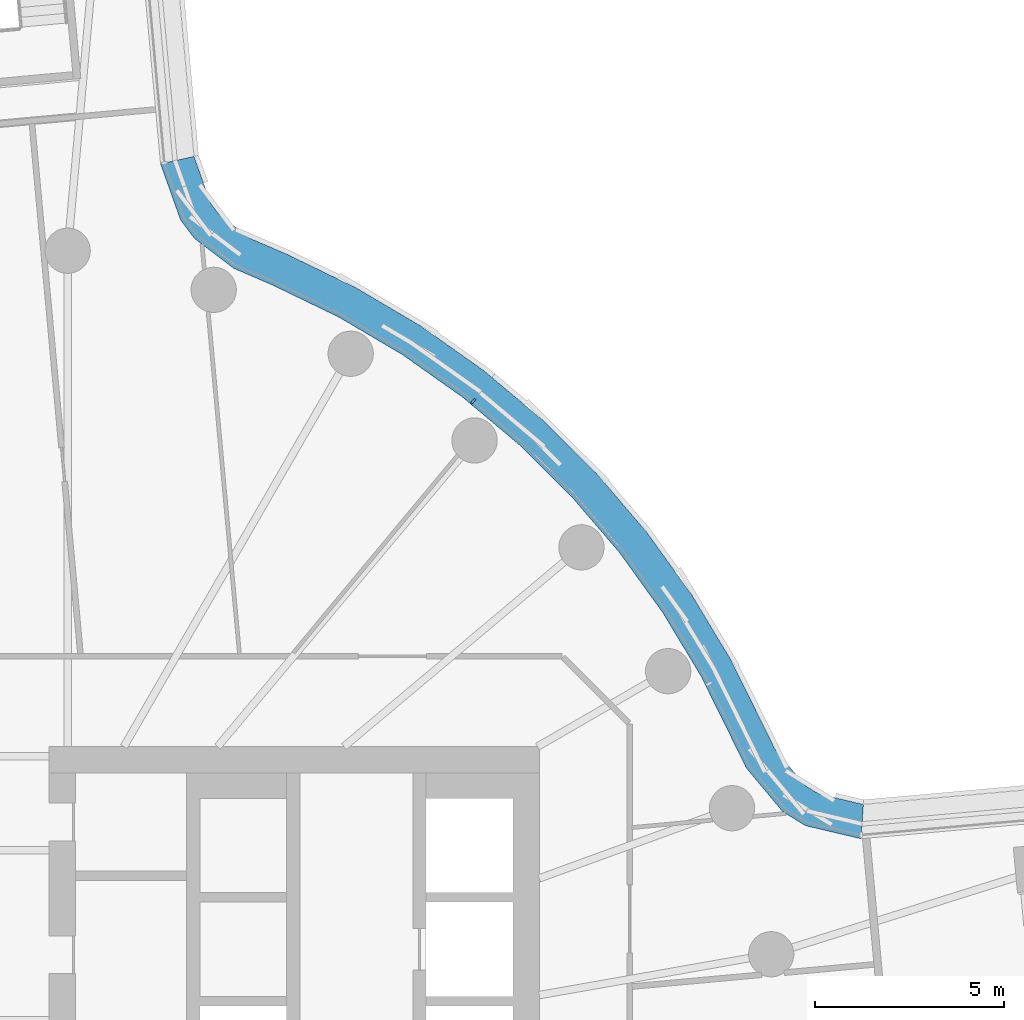
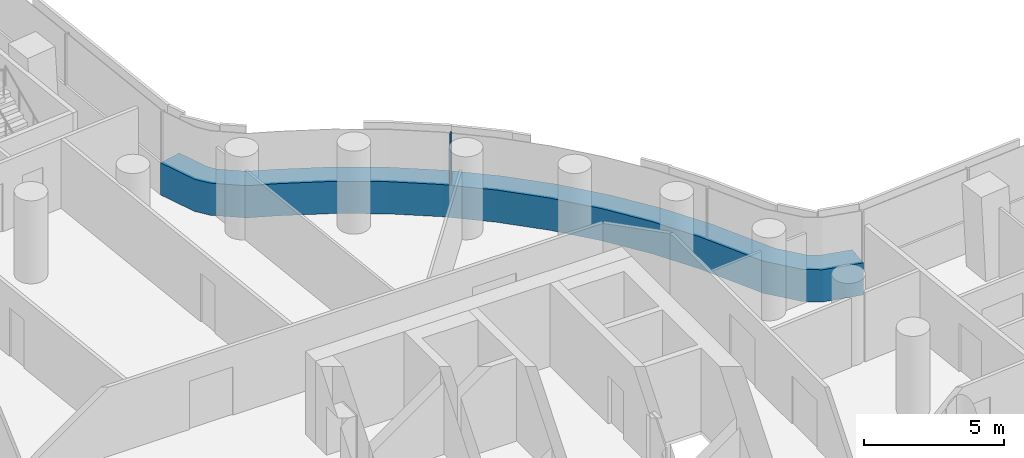
# One storey, part 16 of 31: 2 members, 1 element without a shape of its own.
"""IFC4 building model written with IfcOpenShell, lengths in metres."""

from ifc_helpers import new_model, si_unit, direction, frame, origin, origin_2d, place, context, subcontext, project, spatial, polyline, rectangle, outline, extrude, material, layer, layer_set, material_profile, profile_set, type_object, element, aggregate, save


model = new_model("IFC4")

# Units and contexts
model_context = context("Model", 3, precision=1e-05, world=origin(), true_north=direction((0.0, 1.0)))
body_context = subcontext(model_context, "Body", "Model", "MODEL_VIEW")
ifc_project = project(units=[si_unit("LENGTHUNIT", "METRE"), si_unit("AREAUNIT", "SQUARE_METRE"), si_unit("VOLUMEUNIT", "CUBIC_METRE"), si_unit("PLANEANGLEUNIT", "RADIAN"), si_unit("MASSUNIT", "GRAM", prefix="KILO")], contexts=[model_context])

# Site, building, storey
site_placement = place(None, origin())
site = spatial("IfcSite", under=ifc_project, at=site_placement, CompositionType="ELEMENT")
building_placement = place(site_placement, origin())
building = spatial("IfcBuilding", under=site, at=building_placement, Name="Tamarind Cross Interchange Tower", CompositionType="ELEMENT")
storey_placement = place(building_placement, frame((0.0, 0.0, 52.75)))
storey = spatial("IfcBuildingStorey", under=building, at=storey_placement, Name="L11", CompositionType="ELEMENT", Elevation=52.75)

# Curtain wall, members
ifc_material_1 = material(Name="Aluminium 6063-T6", Category="aluminium")
ifc_layer = layer(ifc_material_1, 0.159912109375)
ifc_layer_set = layer_set([ifc_layer], Name="Aluminium 6063-T6")
curtain_wall_type = type_object("IfcCurtainWallType", Name="Office curtain wall, 9.0 m bays", PredefinedType="NOTDEFINED", material=ifc_layer_set)
curtain_wall_placement = place(storey_placement, origin())
curtain_wall = element("IfcCurtainWall", 1, at=curtain_wall_placement, inside=storey, type_object=curtain_wall_type, Name="CWS-L11-14", PredefinedType="NOTDEFINED")
ifc_material_2 = material(Name="Aluminium and insulated spandrel panel", Category="aluminium")
member_type_1 = type_object("IfcMemberType", Name="Floor-edge blade transom", PredefinedType="USERDEFINED", material=ifc_material_2)
member_1_placement = place(storey_placement, origin())
member_1 = element("IfcMember", 2, at=member_1_placement, type_object=member_type_1, Name="CWT-L11-14", ObjectType="TRANSOM", PredefinedType="USERDEFINED", context=body_context, shape_type="SweptSolid", body=[
    extrude(outline(polyline([(25.03173828125, 7.056640625), (23.560302734375, 7.4033203125), (22.952392578125, 7.779052734375), (21.99267578125, 8.93115234375), (21.6640625, 9.60107421875), (20.791015625, 11.367431640625), (19.78125, 13.045654296875), (18.636474609375, 14.634521484375), (17.3642578125, 16.12353515625), (15.973388671875, 17.50244140625), (14.4736328125, 18.76171875), (12.874755859375, 19.892822265625), (11.188232421875, 20.88818359375), (9.419677734375, 21.7431640625), (8.39990234375, 22.182861328125), (7.36328125, 22.96923828125), (6.988525390625, 23.467529296875), (6.457763671875, 24.954833984375), (7.34375, 25.150146484375), (7.7900390625, 23.899169921875), (8.007080078125, 23.610595703125), (8.856689453125, 22.966064453125), (9.7939453125, 22.56201171875), (11.613525390625, 21.68212890625), (13.3642578125, 20.64892578125), (15.023681640625, 19.474853515625), (16.580810546875, 18.167724609375), (18.0244140625, 16.736572265625), (19.344970703125, 15.19091796875), (20.533203125, 13.54150390625), (21.581298828125, 11.799560546875), (22.471435546875, 9.99853515625), (22.753173828125, 9.42431640625), (23.55029296875, 8.467529296875), (23.908935546875, 8.245849609375), (25.0966796875, 7.966064453125), (25.03173828125, 7.056640625)])), origin(), (0.0, 0.0, 1.0), 1.39990234375),
])
ifc_material_profile = material_profile(ifc_material_1, rectangle(XDim=0.06005859375, YDim=0.159912109375, at=origin_2d()), Name="Mullion CW1")
ifc_profile_set = profile_set([ifc_material_profile], Name="Aluminium 6063-T6")
member_type_2 = type_object("IfcMemberType", Name="Mullion CW1", PredefinedType="MULLION", material=ifc_profile_set)
member_2_placement = place(storey_placement, frame((14.75, 18.66015625, 1.39990234375), z_axis=(0.0, 0.0, 1.0), x_axis=(-0.765858396687, 0.643009266048, 0.0)))
member_2 = element("IfcMember", 3, at=member_2_placement, type_object=member_type_2, Name="CWM-L11-14-02", PredefinedType="MULLION", context=body_context, shape_type="SweptSolid", body=[
    extrude(rectangle(XDim=0.06005859375, YDim=0.159912109375, at=origin_2d()), origin(), (0.0, 0.0, 1.0), 2.210205078125),
])
aggregate(curtain_wall, [member_2, member_1])

save(model, "model.ifc")
